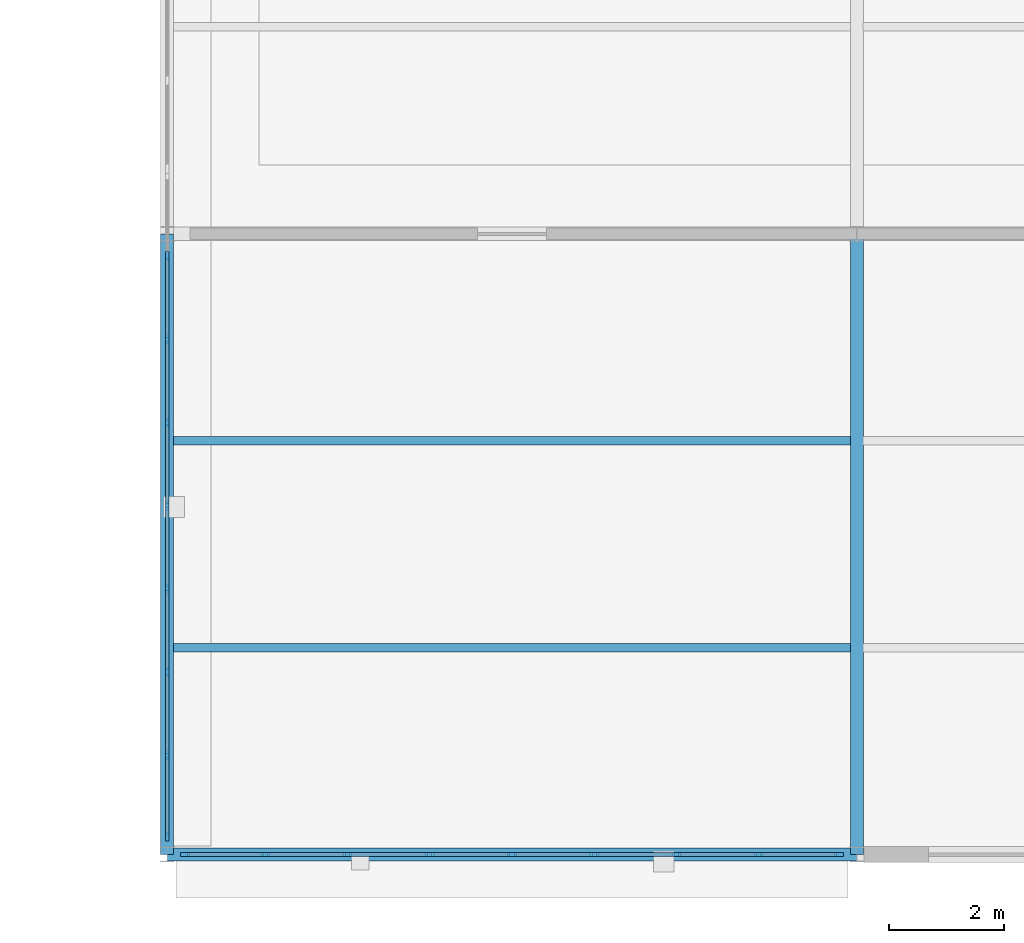
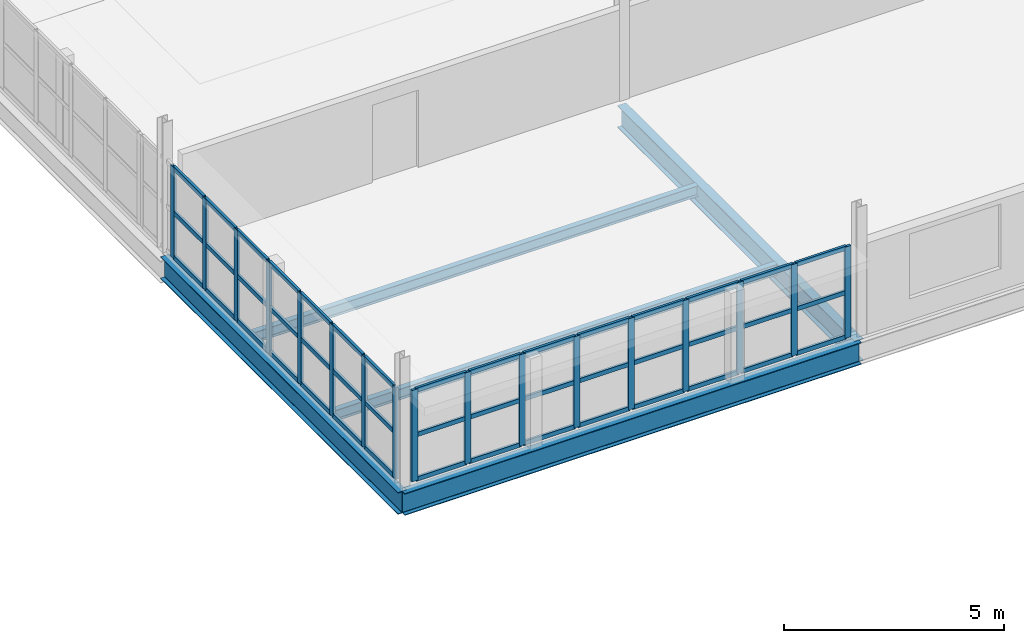
# One storey, part 32 of 74: 62 members, 5 beams, 2 elements without a shape of their own.
"""IFC4 building model written with IfcOpenShell, lengths in metres."""

from ifc_helpers import new_model, si_unit, direction, frame, origin, origin_2d, place, context, subcontext, project, spatial, rectangle, i_section, extrude, material, layer, layer_set, material_profile, profile_set, type_object, element, aggregate, save


model = new_model("IFC4")

# Units and contexts
model_context = context("Model", 3, precision=1e-05, world=origin(), true_north=direction((0.0, 1.0)))
body_context = subcontext(model_context, "Body", "Model", "MODEL_VIEW")
ifc_project = project(units=[si_unit("LENGTHUNIT", "METRE"), si_unit("AREAUNIT", "SQUARE_METRE"), si_unit("VOLUMEUNIT", "CUBIC_METRE"), si_unit("PLANEANGLEUNIT", "RADIAN"), si_unit("MASSUNIT", "GRAM", prefix="KILO"), si_unit("THERMODYNAMICTEMPERATUREUNIT", "KELVIN"), si_unit("POWERUNIT", "WATT")], contexts=[model_context])

# Site, building, storey
site_placement = place(None, origin())
site = spatial("IfcSite", under=ifc_project, at=site_placement, CompositionType="ELEMENT")
building_placement = place(site_placement, origin())
building = spatial("IfcBuilding", under=site, at=building_placement, Name="Tembeka Court Mobility Hub", CompositionType="ELEMENT")
storey_placement = place(building_placement, frame((0.0, 0.0, 12.60009765625)))
storey = spatial("IfcBuildingStorey", under=building, at=storey_placement, Name="L03", CompositionType="ELEMENT", Elevation=12.60009765625)

# Beams
ifc_material_1 = material(Name="Steel S355", Category="steel")
ifc_material_profile_1 = material_profile(ifc_material_1, i_section(OverallWidth=0.22900390625, OverallDepth=0.612060546875, WebThickness=0.011962890625, FlangeThickness=0.01953125, FilletRadius=0.0126953125, at=origin_2d()), Name="UKB 610x229x125")
ifc_profile_set_1 = profile_set([ifc_material_profile_1], Name="Steel S355")
beam_type_1 = type_object("IfcBeamType", Name="BM-G02", PredefinedType="USERDEFINED", material=ifc_profile_set_1)
beam_placement = place(storey_placement, frame((128.39990234375, 0.0, -0.49609375), z_axis=(1.0, 0.0, 0.0), x_axis=(0.0, 1.0, 0.0)))
element("IfcBeam", 1, at=beam_placement, inside=storey, type_object=beam_type_1, Name="Beam G02 (BM-L03-X1692)", ObjectType="GIRDER", PredefinedType="USERDEFINED", context=body_context, shape_type="SweptSolid", body=[
    extrude(i_section(OverallWidth=0.22900390625, OverallDepth=0.612060546875, WebThickness=0.011962890625, FlangeThickness=0.01953125, FilletRadius=0.0126953125, at=origin_2d()), origin(), (0.0, 0.0, 1.0), 12.0),
])
for number, where, z_axis, x_axis, name in (
    (2, (128.39990234375, 0.0, -0.49609375), (0.0, 1.0, 0.0), (-1.0, 0.0, 0.0), "Beam G02 (BM-L03-Y1922)"),
    (3, (140.39990234375, 0.0, -0.49609375), (0.0, 1.0, 0.0), (-1.0, 0.0, 0.0), "Beam G02 (BM-L03-Y1926)"),
):
    element("IfcBeam", number, at=place(storey_placement, frame(where, z_axis=z_axis, x_axis=x_axis)), inside=storey, type_object=beam_type_1, Name=name, ObjectType="GIRDER", PredefinedType="USERDEFINED", context=body_context, shape_type="SweptSolid", body=[
        extrude(i_section(OverallWidth=0.22900390625, OverallDepth=0.612060546875, WebThickness=0.011962890625, FlangeThickness=0.01953125, FilletRadius=0.0126953125, at=origin_2d()), origin(), (0.0, 0.0, 1.0), 10.800048828125),
    ])
ifc_material_profile_2 = material_profile(ifc_material_1, i_section(OverallWidth=0.14990234375, OverallDepth=0.300048828125, WebThickness=0.007080078125, FlangeThickness=0.0107421875, FilletRadius=0.014892578125, at=origin_2d()), Name="IPE 300")
ifc_profile_set_2 = profile_set([ifc_material_profile_2], Name="Steel S355")
beam_type_2 = type_object("IfcBeamType", Name="BM-J04", PredefinedType="JOIST", material=ifc_profile_set_2)
for number, where, z_axis, x_axis, name in (
    (4, (128.509521484375, 3.60009765625, -0.340087890625), (1.0, 0.0, 0.0), (0.0, 1.0, 0.0), "Beam J04 (JST-L03-2142)"),
    (5, (128.509521484375, 7.199951171875, -0.340087890625), (1.0, 0.0, 0.0), (0.0, 1.0, 0.0), "Beam J04 (JST-L03-2143)"),
):
    element("IfcBeam", number, at=place(storey_placement, frame(where, z_axis=z_axis, x_axis=x_axis)), inside=storey, type_object=beam_type_2, Name=name, PredefinedType="JOIST", context=body_context, shape_type="SweptSolid", body=[
        extrude(i_section(OverallWidth=0.14990234375, OverallDepth=0.300048828125, WebThickness=0.007080078125, FlangeThickness=0.0107421875, FilletRadius=0.014892578125, at=origin_2d()), origin(), (0.0, 0.0, 1.0), 11.781005859375),
    ])

# Curtain wall, members
ifc_material_2 = material(Name="Anodised aluminium 6063-T6", Category="aluminium")
ifc_layer_1 = layer(ifc_material_2, 0.159912109375)
ifc_layer_set_1 = layer_set([ifc_layer_1], Name="Anodised aluminium 6063-T6")
curtain_wall_type_1 = type_object("IfcCurtainWallType", Name="CW-SYS41", PredefinedType="USERDEFINED", material=ifc_layer_set_1)
curtain_wall_1_placement = place(storey_placement, origin())
curtain_wall_1 = element("IfcCurtainWall", 6, at=curtain_wall_1_placement, inside=storey, type_object=curtain_wall_type_1, Name="Unitised curtain wall CW41 (CW-L03-133)", ObjectType="UNITISED GLAZING", PredefinedType="USERDEFINED")
ifc_material_profile_3 = material_profile(ifc_material_2, rectangle(XDim=0.06494140625, YDim=0.159912109375, at=origin_2d()), Name="ALU-MUL 65x160")
ifc_profile_set_3 = profile_set([ifc_material_profile_3], Name="Anodised aluminium 6063-T6")
member_type_1 = type_object("IfcMemberType", Name="CW-MUL01", PredefinedType="MULLION", material=ifc_profile_set_3)
member_1_placement = place(storey_placement, frame((128.71240234375, 0.0, 0.0), z_axis=(0.0, 0.0, 1.0), x_axis=(0.0, 1.0, 0.0)))
member_1 = element("IfcMember", 7, at=member_1_placement, type_object=member_type_1, Name="CW41 mullion 1", PredefinedType="MULLION", context=body_context, shape_type="SweptSolid", body=[
    extrude(rectangle(XDim=0.06494140625, YDim=0.159912109375, at=origin_2d()), origin(), (0.0, 0.0, 1.0), 2.534912109375),
])
member_2_placement = place(storey_placement, frame((130.110107421875, 0.0, 0.0), z_axis=(0.0, 0.0, 1.0), x_axis=(0.0, 1.0, 0.0)))
member_2 = element("IfcMember", 8, at=member_2_placement, type_object=member_type_1, Name="CW41 mullion 2", PredefinedType="MULLION", context=body_context, shape_type="SweptSolid", body=[
    extrude(rectangle(XDim=0.06494140625, YDim=0.159912109375, at=origin_2d()), origin(), (0.0, 0.0, 1.0), 2.534912109375),
])
member_3_placement = place(storey_placement, frame((131.5400390625, 0.0, 0.0), z_axis=(0.0, 0.0, 1.0), x_axis=(0.0, 1.0, 0.0)))
member_3 = element("IfcMember", 9, at=member_3_placement, type_object=member_type_1, Name="CW41 mullion 3", PredefinedType="MULLION", context=body_context, shape_type="SweptSolid", body=[
    extrude(rectangle(XDim=0.06494140625, YDim=0.159912109375, at=origin_2d()), origin(), (0.0, 0.0, 1.0), 2.534912109375),
])
member_4_placement = place(storey_placement, frame((132.969970703125, 0.0, 0.0), z_axis=(0.0, 0.0, 1.0), x_axis=(0.0, 1.0, 0.0)))
member_4 = element("IfcMember", 10, at=member_4_placement, type_object=member_type_1, Name="CW41 mullion 4", PredefinedType="MULLION", context=body_context, shape_type="SweptSolid", body=[
    extrude(rectangle(XDim=0.06494140625, YDim=0.159912109375, at=origin_2d()), origin(), (0.0, 0.0, 1.0), 2.534912109375),
])
member_5_placement = place(storey_placement, frame((134.39990234375, 0.0, 0.0), z_axis=(0.0, 0.0, 1.0), x_axis=(0.0, 1.0, 0.0)))
member_5 = element("IfcMember", 11, at=member_5_placement, type_object=member_type_1, Name="CW41 mullion 5", PredefinedType="MULLION", context=body_context, shape_type="SweptSolid", body=[
    extrude(rectangle(XDim=0.06494140625, YDim=0.159912109375, at=origin_2d()), origin(), (0.0, 0.0, 1.0), 2.534912109375),
])
member_6_placement = place(storey_placement, frame((135.830078125, 0.0, 0.0), z_axis=(0.0, 0.0, 1.0), x_axis=(0.0, 1.0, 0.0)))
member_6 = element("IfcMember", 12, at=member_6_placement, type_object=member_type_1, Name="CW41 mullion 6", PredefinedType="MULLION", context=body_context, shape_type="SweptSolid", body=[
    extrude(rectangle(XDim=0.06494140625, YDim=0.159912109375, at=origin_2d()), origin(), (0.0, 0.0, 1.0), 2.534912109375),
])
member_7_placement = place(storey_placement, frame((137.260009765625, 0.0, 0.0), z_axis=(0.0, 0.0, 1.0), x_axis=(0.0, 1.0, 0.0)))
member_7 = element("IfcMember", 13, at=member_7_placement, type_object=member_type_1, Name="CW41 mullion 7", PredefinedType="MULLION", context=body_context, shape_type="SweptSolid", body=[
    extrude(rectangle(XDim=0.06494140625, YDim=0.159912109375, at=origin_2d()), origin(), (0.0, 0.0, 1.0), 2.534912109375),
])
member_8_placement = place(storey_placement, frame((138.68994140625, 0.0, 0.0), z_axis=(0.0, 0.0, 1.0), x_axis=(0.0, 1.0, 0.0)))
member_8 = element("IfcMember", 14, at=member_8_placement, type_object=member_type_1, Name="CW41 mullion 8", PredefinedType="MULLION", context=body_context, shape_type="SweptSolid", body=[
    extrude(rectangle(XDim=0.06494140625, YDim=0.159912109375, at=origin_2d()), origin(), (0.0, 0.0, 1.0), 2.534912109375),
])
member_9_placement = place(storey_placement, frame((140.08740234375, 0.0, 0.0), z_axis=(0.0, 0.0, 1.0), x_axis=(0.0, 1.0, 0.0)))
member_9 = element("IfcMember", 15, at=member_9_placement, type_object=member_type_1, Name="CW41 mullion 9", PredefinedType="MULLION", context=body_context, shape_type="SweptSolid", body=[
    extrude(rectangle(XDim=0.06494140625, YDim=0.159912109375, at=origin_2d()), origin(), (0.0, 0.0, 1.0), 2.534912109375),
])

ifc_layer_2 = layer(ifc_material_2, 0.159912109375)
ifc_layer_set_2 = layer_set([ifc_layer_2], Name="Anodised aluminium 6063-T6")
curtain_wall_type_2 = type_object("IfcCurtainWallType", Name="CW-SYS55", PredefinedType="USERDEFINED", material=ifc_layer_set_2)
curtain_wall_2_placement = place(storey_placement, origin())
curtain_wall_2 = element("IfcCurtainWall", 16, at=curtain_wall_2_placement, inside=storey, type_object=curtain_wall_type_2, Name="Unitised curtain wall CW55 (CW-L03-142)", ObjectType="UNITISED GLAZING", PredefinedType="USERDEFINED")
member_10_placement = place(storey_placement, frame((128.39990234375, 0.3125, 0.0), z_axis=(0.0, 0.0, 1.0), x_axis=(-1.0, 0.0, 0.0)))
member_10 = element("IfcMember", 17, at=member_10_placement, type_object=member_type_1, Name="CW55 mullion 1", PredefinedType="MULLION", context=body_context, shape_type="SweptSolid", body=[
    extrude(rectangle(XDim=0.06494140625, YDim=0.159912109375, at=origin_2d()), origin(), (0.0, 0.0, 1.0), 2.534912109375),
])
member_11_placement = place(storey_placement, frame((128.39990234375, 1.7275390625, 0.0), z_axis=(0.0, 0.0, 1.0), x_axis=(-1.0, 0.0, 0.0)))
member_11 = element("IfcMember", 18, at=member_11_placement, type_object=member_type_1, Name="CW55 mullion 2", PredefinedType="MULLION", context=body_context, shape_type="SweptSolid", body=[
    extrude(rectangle(XDim=0.06494140625, YDim=0.159912109375, at=origin_2d()), origin(), (0.0, 0.0, 1.0), 2.534912109375),
])
member_12_placement = place(storey_placement, frame((128.39990234375, 3.175048828125, 0.0), z_axis=(0.0, 0.0, 1.0), x_axis=(-1.0, 0.0, 0.0)))
member_12 = element("IfcMember", 19, at=member_12_placement, type_object=member_type_1, Name="CW55 mullion 3", PredefinedType="MULLION", context=body_context, shape_type="SweptSolid", body=[
    extrude(rectangle(XDim=0.06494140625, YDim=0.159912109375, at=origin_2d()), origin(), (0.0, 0.0, 1.0), 2.534912109375),
])
member_13_placement = place(storey_placement, frame((128.39990234375, 4.62255859375, 0.0), z_axis=(0.0, 0.0, 1.0), x_axis=(-1.0, 0.0, 0.0)))
member_13 = element("IfcMember", 20, at=member_13_placement, type_object=member_type_1, Name="CW55 mullion 4", PredefinedType="MULLION", context=body_context, shape_type="SweptSolid", body=[
    extrude(rectangle(XDim=0.06494140625, YDim=0.159912109375, at=origin_2d()), origin(), (0.0, 0.0, 1.0), 2.534912109375),
])
member_14_placement = place(storey_placement, frame((128.39990234375, 6.070068359375, 0.0), z_axis=(0.0, 0.0, 1.0), x_axis=(-1.0, 0.0, 0.0)))
member_14 = element("IfcMember", 21, at=member_14_placement, type_object=member_type_1, Name="CW55 mullion 5", PredefinedType="MULLION", context=body_context, shape_type="SweptSolid", body=[
    extrude(rectangle(XDim=0.06494140625, YDim=0.159912109375, at=origin_2d()), origin(), (0.0, 0.0, 1.0), 2.534912109375),
])
member_15_placement = place(storey_placement, frame((128.39990234375, 7.517578125, 0.0), z_axis=(0.0, 0.0, 1.0), x_axis=(-1.0, 0.0, 0.0)))
member_15 = element("IfcMember", 22, at=member_15_placement, type_object=member_type_1, Name="CW55 mullion 6", PredefinedType="MULLION", context=body_context, shape_type="SweptSolid", body=[
    extrude(rectangle(XDim=0.06494140625, YDim=0.159912109375, at=origin_2d()), origin(), (0.0, 0.0, 1.0), 2.534912109375),
])
member_16_placement = place(storey_placement, frame((128.39990234375, 8.965087890625, 0.0), z_axis=(0.0, 0.0, 1.0), x_axis=(-1.0, 0.0, 0.0)))
member_16 = element("IfcMember", 23, at=member_16_placement, type_object=member_type_1, Name="CW55 mullion 7", PredefinedType="MULLION", context=body_context, shape_type="SweptSolid", body=[
    extrude(rectangle(XDim=0.06494140625, YDim=0.159912109375, at=origin_2d()), origin(), (0.0, 0.0, 1.0), 2.534912109375),
])
member_17_placement = place(storey_placement, frame((128.39990234375, 10.41259765625, 0.0), z_axis=(0.0, 0.0, 1.0), x_axis=(-1.0, 0.0, 0.0)))
member_17 = element("IfcMember", 24, at=member_17_placement, type_object=member_type_1, Name="CW55 mullion 8", PredefinedType="MULLION", context=body_context, shape_type="SweptSolid", body=[
    extrude(rectangle(XDim=0.06494140625, YDim=0.159912109375, at=origin_2d()), origin(), (0.0, 0.0, 1.0), 2.534912109375),
])

# Member
ifc_material_profile_4 = material_profile(ifc_material_2, rectangle(XDim=0.06494140625, YDim=0.1201171875, at=origin_2d()), Name="ALU-TRN 65x120")
ifc_profile_set_4 = profile_set([ifc_material_profile_4], Name="Anodised aluminium 6063-T6")
member_type_2 = type_object("IfcMemberType", Name="CW-TRN01", PredefinedType="USERDEFINED", material=ifc_profile_set_4)
member_18_placement = place(storey_placement, frame((128.7451171875, 0.0, 0.032470703125), z_axis=(1.0, 0.0, 0.0), x_axis=(0.0, 1.0, 0.0)))
member_18 = element("IfcMember", 25, at=member_18_placement, type_object=member_type_2, Name="CW41 transom 1.1", ObjectType="TRANSOM", PredefinedType="USERDEFINED", context=body_context, shape_type="SweptSolid", body=[
    extrude(rectangle(XDim=0.06494140625, YDim=0.1201171875, at=origin_2d()), origin(), (0.0, 0.0, 1.0), 1.332275390625),
])

member_19_placement = place(storey_placement, frame((128.7451171875, 0.0, 1.267333984375), z_axis=(1.0, 0.0, 0.0), x_axis=(0.0, 1.0, 0.0)))
member_19 = element("IfcMember", 26, at=member_19_placement, type_object=member_type_2, Name="CW41 transom 1.2", ObjectType="TRANSOM", PredefinedType="USERDEFINED", context=body_context, shape_type="SweptSolid", body=[
    extrude(rectangle(XDim=0.06494140625, YDim=0.1201171875, at=origin_2d()), origin(), (0.0, 0.0, 1.0), 1.332275390625),
])

member_20_placement = place(storey_placement, frame((128.7451171875, 0.0, 2.50244140625), z_axis=(1.0, 0.0, 0.0), x_axis=(0.0, 1.0, 0.0)))
member_20 = element("IfcMember", 27, at=member_20_placement, type_object=member_type_2, Name="CW41 transom 1.3", ObjectType="TRANSOM", PredefinedType="USERDEFINED", context=body_context, shape_type="SweptSolid", body=[
    extrude(rectangle(XDim=0.06494140625, YDim=0.1201171875, at=origin_2d()), origin(), (0.0, 0.0, 1.0), 1.332275390625),
])

member_21_placement = place(storey_placement, frame((130.142578125, 0.0, 0.032470703125), z_axis=(1.0, 0.0, 0.0), x_axis=(0.0, 1.0, 0.0)))
member_21 = element("IfcMember", 28, at=member_21_placement, type_object=member_type_2, Name="CW41 transom 2.1", ObjectType="TRANSOM", PredefinedType="USERDEFINED", context=body_context, shape_type="SweptSolid", body=[
    extrude(rectangle(XDim=0.06494140625, YDim=0.1201171875, at=origin_2d()), origin(), (0.0, 0.0, 1.0), 1.364990234375),
])

member_22_placement = place(storey_placement, frame((130.142578125, 0.0, 1.267333984375), z_axis=(1.0, 0.0, 0.0), x_axis=(0.0, 1.0, 0.0)))
member_22 = element("IfcMember", 29, at=member_22_placement, type_object=member_type_2, Name="CW41 transom 2.2", ObjectType="TRANSOM", PredefinedType="USERDEFINED", context=body_context, shape_type="SweptSolid", body=[
    extrude(rectangle(XDim=0.06494140625, YDim=0.1201171875, at=origin_2d()), origin(), (0.0, 0.0, 1.0), 1.364990234375),
])

member_23_placement = place(storey_placement, frame((130.142578125, 0.0, 2.50244140625), z_axis=(1.0, 0.0, 0.0), x_axis=(0.0, 1.0, 0.0)))
member_23 = element("IfcMember", 30, at=member_23_placement, type_object=member_type_2, Name="CW41 transom 2.3", ObjectType="TRANSOM", PredefinedType="USERDEFINED", context=body_context, shape_type="SweptSolid", body=[
    extrude(rectangle(XDim=0.06494140625, YDim=0.1201171875, at=origin_2d()), origin(), (0.0, 0.0, 1.0), 1.364990234375),
])

member_24_placement = place(storey_placement, frame((131.572509765625, 0.0, 0.032470703125), z_axis=(1.0, 0.0, 0.0), x_axis=(0.0, 1.0, 0.0)))
member_24 = element("IfcMember", 31, at=member_24_placement, type_object=member_type_2, Name="CW41 transom 3.1", ObjectType="TRANSOM", PredefinedType="USERDEFINED", context=body_context, shape_type="SweptSolid", body=[
    extrude(rectangle(XDim=0.06494140625, YDim=0.1201171875, at=origin_2d()), origin(), (0.0, 0.0, 1.0), 1.364990234375),
])

member_25_placement = place(storey_placement, frame((131.572509765625, 0.0, 1.267333984375), z_axis=(1.0, 0.0, 0.0), x_axis=(0.0, 1.0, 0.0)))
member_25 = element("IfcMember", 32, at=member_25_placement, type_object=member_type_2, Name="CW41 transom 3.2", ObjectType="TRANSOM", PredefinedType="USERDEFINED", context=body_context, shape_type="SweptSolid", body=[
    extrude(rectangle(XDim=0.06494140625, YDim=0.1201171875, at=origin_2d()), origin(), (0.0, 0.0, 1.0), 1.364990234375),
])

member_26_placement = place(storey_placement, frame((131.572509765625, 0.0, 2.50244140625), z_axis=(1.0, 0.0, 0.0), x_axis=(0.0, 1.0, 0.0)))
member_26 = element("IfcMember", 33, at=member_26_placement, type_object=member_type_2, Name="CW41 transom 3.3", ObjectType="TRANSOM", PredefinedType="USERDEFINED", context=body_context, shape_type="SweptSolid", body=[
    extrude(rectangle(XDim=0.06494140625, YDim=0.1201171875, at=origin_2d()), origin(), (0.0, 0.0, 1.0), 1.364990234375),
])

member_27_placement = place(storey_placement, frame((133.00244140625, 0.0, 0.032470703125), z_axis=(1.0, 0.0, 0.0), x_axis=(0.0, 1.0, 0.0)))
member_27 = element("IfcMember", 34, at=member_27_placement, type_object=member_type_2, Name="CW41 transom 4.1", ObjectType="TRANSOM", PredefinedType="USERDEFINED", context=body_context, shape_type="SweptSolid", body=[
    extrude(rectangle(XDim=0.06494140625, YDim=0.1201171875, at=origin_2d()), origin(), (0.0, 0.0, 1.0), 1.364990234375),
])

member_28_placement = place(storey_placement, frame((133.00244140625, 0.0, 1.267333984375), z_axis=(1.0, 0.0, 0.0), x_axis=(0.0, 1.0, 0.0)))
member_28 = element("IfcMember", 35, at=member_28_placement, type_object=member_type_2, Name="CW41 transom 4.2", ObjectType="TRANSOM", PredefinedType="USERDEFINED", context=body_context, shape_type="SweptSolid", body=[
    extrude(rectangle(XDim=0.06494140625, YDim=0.1201171875, at=origin_2d()), origin(), (0.0, 0.0, 1.0), 1.364990234375),
])

member_29_placement = place(storey_placement, frame((133.00244140625, 0.0, 2.50244140625), z_axis=(1.0, 0.0, 0.0), x_axis=(0.0, 1.0, 0.0)))
member_29 = element("IfcMember", 36, at=member_29_placement, type_object=member_type_2, Name="CW41 transom 4.3", ObjectType="TRANSOM", PredefinedType="USERDEFINED", context=body_context, shape_type="SweptSolid", body=[
    extrude(rectangle(XDim=0.06494140625, YDim=0.1201171875, at=origin_2d()), origin(), (0.0, 0.0, 1.0), 1.364990234375),
])

member_30_placement = place(storey_placement, frame((134.4326171875, 0.0, 0.032470703125), z_axis=(1.0, 0.0, 0.0), x_axis=(0.0, 1.0, 0.0)))
member_30 = element("IfcMember", 37, at=member_30_placement, type_object=member_type_2, Name="CW41 transom 5.1", ObjectType="TRANSOM", PredefinedType="USERDEFINED", context=body_context, shape_type="SweptSolid", body=[
    extrude(rectangle(XDim=0.06494140625, YDim=0.1201171875, at=origin_2d()), origin(), (0.0, 0.0, 1.0), 1.364990234375),
])

member_31_placement = place(storey_placement, frame((134.4326171875, 0.0, 1.267333984375), z_axis=(1.0, 0.0, 0.0), x_axis=(0.0, 1.0, 0.0)))
member_31 = element("IfcMember", 38, at=member_31_placement, type_object=member_type_2, Name="CW41 transom 5.2", ObjectType="TRANSOM", PredefinedType="USERDEFINED", context=body_context, shape_type="SweptSolid", body=[
    extrude(rectangle(XDim=0.06494140625, YDim=0.1201171875, at=origin_2d()), origin(), (0.0, 0.0, 1.0), 1.364990234375),
])

member_32_placement = place(storey_placement, frame((134.4326171875, 0.0, 2.50244140625), z_axis=(1.0, 0.0, 0.0), x_axis=(0.0, 1.0, 0.0)))
member_32 = element("IfcMember", 39, at=member_32_placement, type_object=member_type_2, Name="CW41 transom 5.3", ObjectType="TRANSOM", PredefinedType="USERDEFINED", context=body_context, shape_type="SweptSolid", body=[
    extrude(rectangle(XDim=0.06494140625, YDim=0.1201171875, at=origin_2d()), origin(), (0.0, 0.0, 1.0), 1.364990234375),
])

member_33_placement = place(storey_placement, frame((135.862548828125, 0.0, 0.032470703125), z_axis=(1.0, 0.0, 0.0), x_axis=(0.0, 1.0, 0.0)))
member_33 = element("IfcMember", 40, at=member_33_placement, type_object=member_type_2, Name="CW41 transom 6.1", ObjectType="TRANSOM", PredefinedType="USERDEFINED", context=body_context, shape_type="SweptSolid", body=[
    extrude(rectangle(XDim=0.06494140625, YDim=0.1201171875, at=origin_2d()), origin(), (0.0, 0.0, 1.0), 1.364990234375),
])

member_34_placement = place(storey_placement, frame((135.862548828125, 0.0, 1.267333984375), z_axis=(1.0, 0.0, 0.0), x_axis=(0.0, 1.0, 0.0)))
member_34 = element("IfcMember", 41, at=member_34_placement, type_object=member_type_2, Name="CW41 transom 6.2", ObjectType="TRANSOM", PredefinedType="USERDEFINED", context=body_context, shape_type="SweptSolid", body=[
    extrude(rectangle(XDim=0.06494140625, YDim=0.1201171875, at=origin_2d()), origin(), (0.0, 0.0, 1.0), 1.364990234375),
])

member_35_placement = place(storey_placement, frame((135.862548828125, 0.0, 2.50244140625), z_axis=(1.0, 0.0, 0.0), x_axis=(0.0, 1.0, 0.0)))
member_35 = element("IfcMember", 42, at=member_35_placement, type_object=member_type_2, Name="CW41 transom 6.3", ObjectType="TRANSOM", PredefinedType="USERDEFINED", context=body_context, shape_type="SweptSolid", body=[
    extrude(rectangle(XDim=0.06494140625, YDim=0.1201171875, at=origin_2d()), origin(), (0.0, 0.0, 1.0), 1.364990234375),
])

member_36_placement = place(storey_placement, frame((137.29248046875, 0.0, 0.032470703125), z_axis=(1.0, 0.0, 0.0), x_axis=(0.0, 1.0, 0.0)))
member_36 = element("IfcMember", 43, at=member_36_placement, type_object=member_type_2, Name="CW41 transom 7.1", ObjectType="TRANSOM", PredefinedType="USERDEFINED", context=body_context, shape_type="SweptSolid", body=[
    extrude(rectangle(XDim=0.06494140625, YDim=0.1201171875, at=origin_2d()), origin(), (0.0, 0.0, 1.0), 1.364990234375),
])

member_37_placement = place(storey_placement, frame((137.29248046875, 0.0, 1.267333984375), z_axis=(1.0, 0.0, 0.0), x_axis=(0.0, 1.0, 0.0)))
member_37 = element("IfcMember", 44, at=member_37_placement, type_object=member_type_2, Name="CW41 transom 7.2", ObjectType="TRANSOM", PredefinedType="USERDEFINED", context=body_context, shape_type="SweptSolid", body=[
    extrude(rectangle(XDim=0.06494140625, YDim=0.1201171875, at=origin_2d()), origin(), (0.0, 0.0, 1.0), 1.364990234375),
])

member_38_placement = place(storey_placement, frame((137.29248046875, 0.0, 2.50244140625), z_axis=(1.0, 0.0, 0.0), x_axis=(0.0, 1.0, 0.0)))
member_38 = element("IfcMember", 45, at=member_38_placement, type_object=member_type_2, Name="CW41 transom 7.3", ObjectType="TRANSOM", PredefinedType="USERDEFINED", context=body_context, shape_type="SweptSolid", body=[
    extrude(rectangle(XDim=0.06494140625, YDim=0.1201171875, at=origin_2d()), origin(), (0.0, 0.0, 1.0), 1.364990234375),
])

member_39_placement = place(storey_placement, frame((138.722412109375, 0.0, 0.032470703125), z_axis=(1.0, 0.0, 0.0), x_axis=(0.0, 1.0, 0.0)))
member_39 = element("IfcMember", 46, at=member_39_placement, type_object=member_type_2, Name="CW41 transom 8.1", ObjectType="TRANSOM", PredefinedType="USERDEFINED", context=body_context, shape_type="SweptSolid", body=[
    extrude(rectangle(XDim=0.06494140625, YDim=0.1201171875, at=origin_2d()), origin(), (0.0, 0.0, 1.0), 1.33251953125),
])

member_40_placement = place(storey_placement, frame((138.722412109375, 0.0, 1.267333984375), z_axis=(1.0, 0.0, 0.0), x_axis=(0.0, 1.0, 0.0)))
member_40 = element("IfcMember", 47, at=member_40_placement, type_object=member_type_2, Name="CW41 transom 8.2", ObjectType="TRANSOM", PredefinedType="USERDEFINED", context=body_context, shape_type="SweptSolid", body=[
    extrude(rectangle(XDim=0.06494140625, YDim=0.1201171875, at=origin_2d()), origin(), (0.0, 0.0, 1.0), 1.33251953125),
])

member_41_placement = place(storey_placement, frame((138.722412109375, 0.0, 2.50244140625), z_axis=(1.0, 0.0, 0.0), x_axis=(0.0, 1.0, 0.0)))
member_41 = element("IfcMember", 48, at=member_41_placement, type_object=member_type_2, Name="CW41 transom 8.3", ObjectType="TRANSOM", PredefinedType="USERDEFINED", context=body_context, shape_type="SweptSolid", body=[
    extrude(rectangle(XDim=0.06494140625, YDim=0.1201171875, at=origin_2d()), origin(), (0.0, 0.0, 1.0), 1.33251953125),
])

aggregate(curtain_wall_1, [member_1, member_2, member_3, member_4, member_5, member_6, member_7, member_8, member_9, member_18, member_19, member_20, member_21, member_22, member_23, member_24, member_25, member_26, member_27, member_28, member_29, member_30, member_31, member_32, member_33, member_34, member_35, member_36, member_37, member_38, member_39, member_40, member_41])

member_42_placement = place(storey_placement, frame((128.39990234375, 0.344970703125, 0.032470703125), z_axis=(0.0, 1.0, 0.0), x_axis=(-1.0, 0.0, 0.0)))
member_42 = element("IfcMember", 49, at=member_42_placement, type_object=member_type_2, Name="CW55 transom 1.1", ObjectType="TRANSOM", PredefinedType="USERDEFINED", context=body_context, shape_type="SweptSolid", body=[
    extrude(rectangle(XDim=0.06494140625, YDim=0.1201171875, at=origin_2d()), origin(), (0.0, 0.0, 1.0), 1.35009765625),
])

member_43_placement = place(storey_placement, frame((128.39990234375, 0.344970703125, 1.267333984375), z_axis=(0.0, 1.0, 0.0), x_axis=(-1.0, 0.0, 0.0)))
member_43 = element("IfcMember", 50, at=member_43_placement, type_object=member_type_2, Name="CW55 transom 1.2", ObjectType="TRANSOM", PredefinedType="USERDEFINED", context=body_context, shape_type="SweptSolid", body=[
    extrude(rectangle(XDim=0.06494140625, YDim=0.1201171875, at=origin_2d()), origin(), (0.0, 0.0, 1.0), 1.35009765625),
])

member_44_placement = place(storey_placement, frame((128.39990234375, 0.344970703125, 2.50244140625), z_axis=(0.0, 1.0, 0.0), x_axis=(-1.0, 0.0, 0.0)))
member_44 = element("IfcMember", 51, at=member_44_placement, type_object=member_type_2, Name="CW55 transom 1.3", ObjectType="TRANSOM", PredefinedType="USERDEFINED", context=body_context, shape_type="SweptSolid", body=[
    extrude(rectangle(XDim=0.06494140625, YDim=0.1201171875, at=origin_2d()), origin(), (0.0, 0.0, 1.0), 1.35009765625),
])

member_45_placement = place(storey_placement, frame((128.39990234375, 1.760009765625, 0.032470703125), z_axis=(0.0, 1.0, 0.0), x_axis=(-1.0, 0.0, 0.0)))
member_45 = element("IfcMember", 52, at=member_45_placement, type_object=member_type_2, Name="CW55 transom 2.1", ObjectType="TRANSOM", PredefinedType="USERDEFINED", context=body_context, shape_type="SweptSolid", body=[
    extrude(rectangle(XDim=0.06494140625, YDim=0.1201171875, at=origin_2d()), origin(), (0.0, 0.0, 1.0), 1.382568359375),
])

member_46_placement = place(storey_placement, frame((128.39990234375, 1.760009765625, 1.267333984375), z_axis=(0.0, 1.0, 0.0), x_axis=(-1.0, 0.0, 0.0)))
member_46 = element("IfcMember", 53, at=member_46_placement, type_object=member_type_2, Name="CW55 transom 2.2", ObjectType="TRANSOM", PredefinedType="USERDEFINED", context=body_context, shape_type="SweptSolid", body=[
    extrude(rectangle(XDim=0.06494140625, YDim=0.1201171875, at=origin_2d()), origin(), (0.0, 0.0, 1.0), 1.382568359375),
])

member_47_placement = place(storey_placement, frame((128.39990234375, 1.760009765625, 2.50244140625), z_axis=(0.0, 1.0, 0.0), x_axis=(-1.0, 0.0, 0.0)))
member_47 = element("IfcMember", 54, at=member_47_placement, type_object=member_type_2, Name="CW55 transom 2.3", ObjectType="TRANSOM", PredefinedType="USERDEFINED", context=body_context, shape_type="SweptSolid", body=[
    extrude(rectangle(XDim=0.06494140625, YDim=0.1201171875, at=origin_2d()), origin(), (0.0, 0.0, 1.0), 1.382568359375),
])

member_48_placement = place(storey_placement, frame((128.39990234375, 3.20751953125, 0.032470703125), z_axis=(0.0, 1.0, 0.0), x_axis=(-1.0, 0.0, 0.0)))
member_48 = element("IfcMember", 55, at=member_48_placement, type_object=member_type_2, Name="CW55 transom 3.1", ObjectType="TRANSOM", PredefinedType="USERDEFINED", context=body_context, shape_type="SweptSolid", body=[
    extrude(rectangle(XDim=0.06494140625, YDim=0.1201171875, at=origin_2d()), origin(), (0.0, 0.0, 1.0), 1.382568359375),
])

member_49_placement = place(storey_placement, frame((128.39990234375, 3.20751953125, 1.267333984375), z_axis=(0.0, 1.0, 0.0), x_axis=(-1.0, 0.0, 0.0)))
member_49 = element("IfcMember", 56, at=member_49_placement, type_object=member_type_2, Name="CW55 transom 3.2", ObjectType="TRANSOM", PredefinedType="USERDEFINED", context=body_context, shape_type="SweptSolid", body=[
    extrude(rectangle(XDim=0.06494140625, YDim=0.1201171875, at=origin_2d()), origin(), (0.0, 0.0, 1.0), 1.382568359375),
])

member_50_placement = place(storey_placement, frame((128.39990234375, 3.20751953125, 2.50244140625), z_axis=(0.0, 1.0, 0.0), x_axis=(-1.0, 0.0, 0.0)))
member_50 = element("IfcMember", 57, at=member_50_placement, type_object=member_type_2, Name="CW55 transom 3.3", ObjectType="TRANSOM", PredefinedType="USERDEFINED", context=body_context, shape_type="SweptSolid", body=[
    extrude(rectangle(XDim=0.06494140625, YDim=0.1201171875, at=origin_2d()), origin(), (0.0, 0.0, 1.0), 1.382568359375),
])

member_51_placement = place(storey_placement, frame((128.39990234375, 4.655029296875, 0.032470703125), z_axis=(0.0, 1.0, 0.0), x_axis=(-1.0, 0.0, 0.0)))
member_51 = element("IfcMember", 58, at=member_51_placement, type_object=member_type_2, Name="CW55 transom 4.1", ObjectType="TRANSOM", PredefinedType="USERDEFINED", context=body_context, shape_type="SweptSolid", body=[
    extrude(rectangle(XDim=0.06494140625, YDim=0.1201171875, at=origin_2d()), origin(), (0.0, 0.0, 1.0), 1.382568359375),
])

member_52_placement = place(storey_placement, frame((128.39990234375, 4.655029296875, 1.267333984375), z_axis=(0.0, 1.0, 0.0), x_axis=(-1.0, 0.0, 0.0)))
member_52 = element("IfcMember", 59, at=member_52_placement, type_object=member_type_2, Name="CW55 transom 4.2", ObjectType="TRANSOM", PredefinedType="USERDEFINED", context=body_context, shape_type="SweptSolid", body=[
    extrude(rectangle(XDim=0.06494140625, YDim=0.1201171875, at=origin_2d()), origin(), (0.0, 0.0, 1.0), 1.382568359375),
])

member_53_placement = place(storey_placement, frame((128.39990234375, 4.655029296875, 2.50244140625), z_axis=(0.0, 1.0, 0.0), x_axis=(-1.0, 0.0, 0.0)))
member_53 = element("IfcMember", 60, at=member_53_placement, type_object=member_type_2, Name="CW55 transom 4.3", ObjectType="TRANSOM", PredefinedType="USERDEFINED", context=body_context, shape_type="SweptSolid", body=[
    extrude(rectangle(XDim=0.06494140625, YDim=0.1201171875, at=origin_2d()), origin(), (0.0, 0.0, 1.0), 1.382568359375),
])

member_54_placement = place(storey_placement, frame((128.39990234375, 6.1025390625, 0.032470703125), z_axis=(0.0, 1.0, 0.0), x_axis=(-1.0, 0.0, 0.0)))
member_54 = element("IfcMember", 61, at=member_54_placement, type_object=member_type_2, Name="CW55 transom 5.1", ObjectType="TRANSOM", PredefinedType="USERDEFINED", context=body_context, shape_type="SweptSolid", body=[
    extrude(rectangle(XDim=0.06494140625, YDim=0.1201171875, at=origin_2d()), origin(), (0.0, 0.0, 1.0), 1.382568359375),
])

member_55_placement = place(storey_placement, frame((128.39990234375, 6.1025390625, 1.267333984375), z_axis=(0.0, 1.0, 0.0), x_axis=(-1.0, 0.0, 0.0)))
member_55 = element("IfcMember", 62, at=member_55_placement, type_object=member_type_2, Name="CW55 transom 5.2", ObjectType="TRANSOM", PredefinedType="USERDEFINED", context=body_context, shape_type="SweptSolid", body=[
    extrude(rectangle(XDim=0.06494140625, YDim=0.1201171875, at=origin_2d()), origin(), (0.0, 0.0, 1.0), 1.382568359375),
])

member_56_placement = place(storey_placement, frame((128.39990234375, 6.1025390625, 2.50244140625), z_axis=(0.0, 1.0, 0.0), x_axis=(-1.0, 0.0, 0.0)))
member_56 = element("IfcMember", 63, at=member_56_placement, type_object=member_type_2, Name="CW55 transom 5.3", ObjectType="TRANSOM", PredefinedType="USERDEFINED", context=body_context, shape_type="SweptSolid", body=[
    extrude(rectangle(XDim=0.06494140625, YDim=0.1201171875, at=origin_2d()), origin(), (0.0, 0.0, 1.0), 1.382568359375),
])

member_57_placement = place(storey_placement, frame((128.39990234375, 7.550048828125, 0.032470703125), z_axis=(0.0, 1.0, 0.0), x_axis=(-1.0, 0.0, 0.0)))
member_57 = element("IfcMember", 64, at=member_57_placement, type_object=member_type_2, Name="CW55 transom 6.1", ObjectType="TRANSOM", PredefinedType="USERDEFINED", context=body_context, shape_type="SweptSolid", body=[
    extrude(rectangle(XDim=0.06494140625, YDim=0.1201171875, at=origin_2d()), origin(), (0.0, 0.0, 1.0), 1.382568359375),
])

member_58_placement = place(storey_placement, frame((128.39990234375, 7.550048828125, 1.267333984375), z_axis=(0.0, 1.0, 0.0), x_axis=(-1.0, 0.0, 0.0)))
member_58 = element("IfcMember", 65, at=member_58_placement, type_object=member_type_2, Name="CW55 transom 6.2", ObjectType="TRANSOM", PredefinedType="USERDEFINED", context=body_context, shape_type="SweptSolid", body=[
    extrude(rectangle(XDim=0.06494140625, YDim=0.1201171875, at=origin_2d()), origin(), (0.0, 0.0, 1.0), 1.382568359375),
])

member_59_placement = place(storey_placement, frame((128.39990234375, 7.550048828125, 2.50244140625), z_axis=(0.0, 1.0, 0.0), x_axis=(-1.0, 0.0, 0.0)))
member_59 = element("IfcMember", 66, at=member_59_placement, type_object=member_type_2, Name="CW55 transom 6.3", ObjectType="TRANSOM", PredefinedType="USERDEFINED", context=body_context, shape_type="SweptSolid", body=[
    extrude(rectangle(XDim=0.06494140625, YDim=0.1201171875, at=origin_2d()), origin(), (0.0, 0.0, 1.0), 1.382568359375),
])

member_60_placement = place(storey_placement, frame((128.39990234375, 8.99755859375, 0.032470703125), z_axis=(0.0, 1.0, 0.0), x_axis=(-1.0, 0.0, 0.0)))
member_60 = element("IfcMember", 67, at=member_60_placement, type_object=member_type_2, Name="CW55 transom 7.1", ObjectType="TRANSOM", PredefinedType="USERDEFINED", context=body_context, shape_type="SweptSolid", body=[
    extrude(rectangle(XDim=0.06494140625, YDim=0.1201171875, at=origin_2d()), origin(), (0.0, 0.0, 1.0), 1.38232421875),
])

member_61_placement = place(storey_placement, frame((128.39990234375, 8.99755859375, 1.267333984375), z_axis=(0.0, 1.0, 0.0), x_axis=(-1.0, 0.0, 0.0)))
member_61 = element("IfcMember", 68, at=member_61_placement, type_object=member_type_2, Name="CW55 transom 7.2", ObjectType="TRANSOM", PredefinedType="USERDEFINED", context=body_context, shape_type="SweptSolid", body=[
    extrude(rectangle(XDim=0.06494140625, YDim=0.1201171875, at=origin_2d()), origin(), (0.0, 0.0, 1.0), 1.38232421875),
])

member_62_placement = place(storey_placement, frame((128.39990234375, 8.99755859375, 2.50244140625), z_axis=(0.0, 1.0, 0.0), x_axis=(-1.0, 0.0, 0.0)))
member_62 = element("IfcMember", 69, at=member_62_placement, type_object=member_type_2, Name="CW55 transom 7.3", ObjectType="TRANSOM", PredefinedType="USERDEFINED", context=body_context, shape_type="SweptSolid", body=[
    extrude(rectangle(XDim=0.06494140625, YDim=0.1201171875, at=origin_2d()), origin(), (0.0, 0.0, 1.0), 1.38232421875),
])

aggregate(curtain_wall_2, [member_10, member_11, member_12, member_13, member_14, member_15, member_16, member_17, member_42, member_43, member_44, member_45, member_46, member_47, member_48, member_49, member_50, member_51, member_52, member_53, member_54, member_55, member_56, member_57, member_58, member_59, member_60, member_61, member_62])

save(model, "model.ifc")
